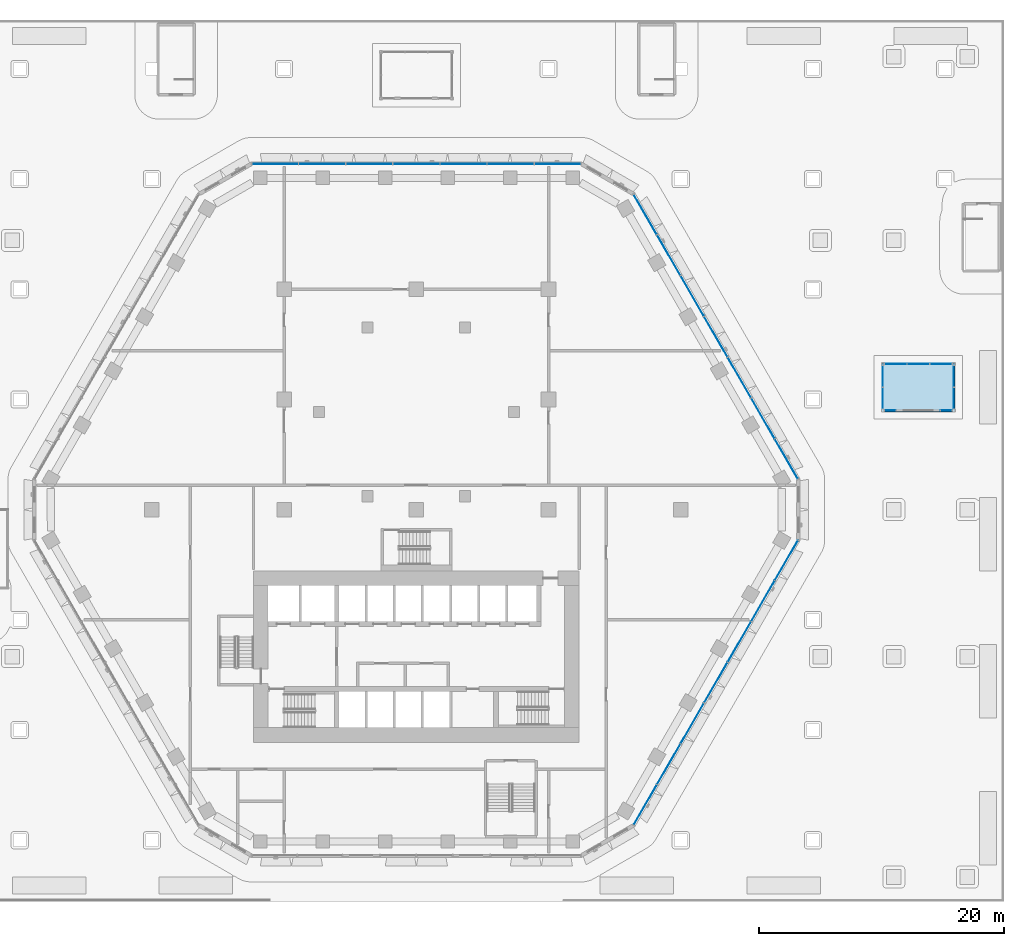
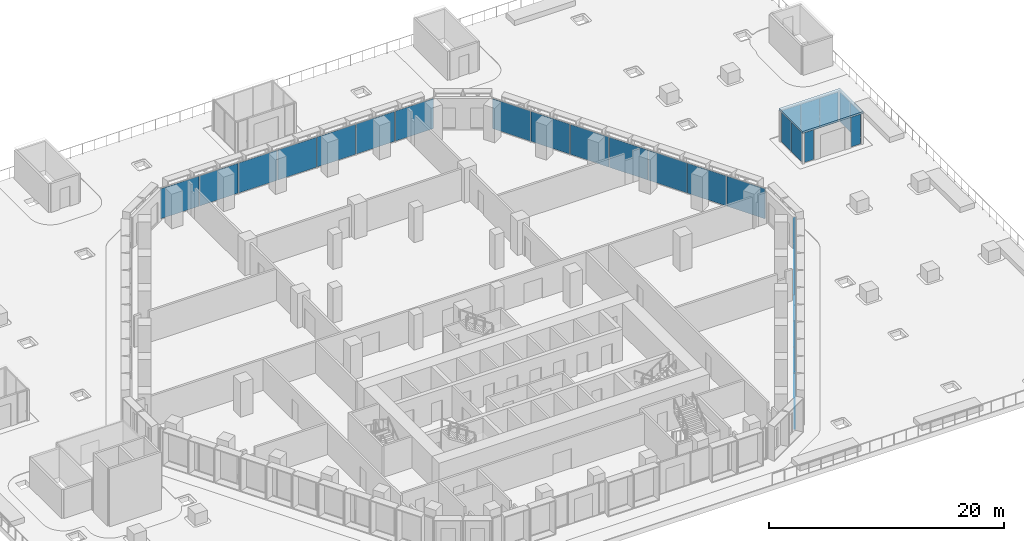
# One storey, part 19 of 38: 30 plates, 1 slab, 8 elements without a shape of their own.
"""IFC4 building model written with IfcOpenShell, lengths in metres."""

from ifc_helpers import new_model, si_unit, direction, frame, origin, origin_2d, place, context, subcontext, project, spatial, polyline, rectangle, outline, extrude, material, layer, layer_set, type_object, element, aggregate, save


model = new_model("IFC4")

# Units and contexts
model_context = context("Model", 3, precision=1e-05, world=origin(), true_north=direction((0.0, 1.0)))
body_context = subcontext(model_context, "Body", "Model", "MODEL_VIEW")
ifc_project = project(units=[si_unit("LENGTHUNIT", "METRE"), si_unit("AREAUNIT", "SQUARE_METRE"), si_unit("VOLUMEUNIT", "CUBIC_METRE"), si_unit("PLANEANGLEUNIT", "RADIAN"), si_unit("MASSUNIT", "GRAM", prefix="KILO")], contexts=[model_context])

# Site, building, storey
site_placement = place(None, origin())
site = spatial("IfcSite", under=ifc_project, at=site_placement, CompositionType="ELEMENT")
building_placement = place(site_placement, origin())
building = spatial("IfcBuilding", under=site, at=building_placement, Name="Beryl Residences", CompositionType="ELEMENT")
storey_placement = place(building_placement, frame((0.0, 0.0, 9.0)))
storey = spatial("IfcBuildingStorey", under=building, at=storey_placement, Name="L02", CompositionType="ELEMENT", Elevation=9.0)

# Curtain wall, plates
ifc_material_1 = material(Name="Aluminium and clear glass", Category="aluminium")
curtain_wall_type_1 = type_object("IfcCurtainWallType", Name="CW2 amenity glazing glazed wall", PredefinedType="NOTDEFINED", material=ifc_material_1)
curtain_wall_1_placement = place(storey_placement, origin())
curtain_wall_1 = element("IfcCurtainWall", 1, at=curtain_wall_1_placement, inside=storey, type_object=curtain_wall_type_1, Name="CW2 L02 N", PredefinedType="NOTDEFINED")
ifc_material_2 = material(Name="Clear laminated glass", Category="glass")
ifc_layer_1 = layer(ifc_material_2, 0.028076171875)
ifc_layer_set_1 = layer_set([ifc_layer_1], Name="CW2-P glazing panel 28 mm")
plate_type_1 = type_object("IfcPlateType", Name="CW2-P glazing panel 28 mm", PredefinedType="CURTAIN_PANEL", material=ifc_layer_set_1)
plate_1_placement = place(storey_placement, frame((11.53076171875, 28.25, 0.06005859375), z_axis=(0.0, 0.0, 1.0), x_axis=(-1.0, 0.0, 0.0)))
plate_1 = element("IfcPlate", 2, at=plate_1_placement, type_object=plate_type_1, Name="CW2 panel 1.1", PredefinedType="CURTAIN_PANEL", context=body_context, shape_type="SweptSolid", body=[
    extrude(rectangle(XDim=3.758544921875, YDim=0.028076171875, at=origin_2d()), origin(), (0.0, 0.0, 1.0), 3.1298828125),
])
plate_2_placement = place(storey_placement, frame((7.697021484375, 28.25, 0.06005859375), z_axis=(0.0, 0.0, 1.0), x_axis=(-1.0, 0.0, 0.0)))
plate_2 = element("IfcPlate", 3, at=plate_2_placement, type_object=plate_type_1, Name="CW2 panel 2.1", PredefinedType="CURTAIN_PANEL", context=body_context, shape_type="SweptSolid", body=[
    extrude(rectangle(XDim=3.78857421875, YDim=0.028076171875, at=origin_2d()), origin(), (0.0, 0.0, 1.0), 3.1298828125),
])
plate_3_placement = place(storey_placement, frame((3.8486328125, 28.25, 0.06005859375), z_axis=(0.0, 0.0, 1.0), x_axis=(-1.0, 0.0, 0.0)))
plate_3 = element("IfcPlate", 4, at=plate_3_placement, type_object=plate_type_1, Name="CW2 panel 3.1", PredefinedType="CURTAIN_PANEL", context=body_context, shape_type="SweptSolid", body=[
    extrude(rectangle(XDim=3.78857421875, YDim=0.028076171875, at=origin_2d()), origin(), (0.0, 0.0, 1.0), 3.1298828125),
])
plate_4_placement = place(storey_placement, frame((0.0, 28.25, 0.06005859375), z_axis=(0.0, 0.0, 1.0), x_axis=(-1.0, 0.0, 0.0)))
plate_4 = element("IfcPlate", 5, at=plate_4_placement, type_object=plate_type_1, Name="CW2 panel 4.1", PredefinedType="CURTAIN_PANEL", context=body_context, shape_type="SweptSolid", body=[
    extrude(rectangle(XDim=3.78857421875, YDim=0.028076171875, at=origin_2d()), origin(), (0.0, 0.0, 1.0), 3.1298828125),
])
plate_5_placement = place(storey_placement, frame((-3.8486328125, 28.25, 0.06005859375), z_axis=(0.0, 0.0, 1.0), x_axis=(-1.0, 0.0, 0.0)))
plate_5 = element("IfcPlate", 6, at=plate_5_placement, type_object=plate_type_1, Name="CW2 panel 5.1", PredefinedType="CURTAIN_PANEL", context=body_context, shape_type="SweptSolid", body=[
    extrude(rectangle(XDim=3.78857421875, YDim=0.028076171875, at=origin_2d()), origin(), (0.0, 0.0, 1.0), 3.1298828125),
])
plate_6_placement = place(storey_placement, frame((-7.697021484375, 28.25, 0.06005859375), z_axis=(0.0, 0.0, 1.0), x_axis=(-1.0, 0.0, 0.0)))
plate_6 = element("IfcPlate", 7, at=plate_6_placement, type_object=plate_type_1, Name="CW2 panel 6.1", PredefinedType="CURTAIN_PANEL", context=body_context, shape_type="SweptSolid", body=[
    extrude(rectangle(XDim=3.78857421875, YDim=0.028076171875, at=origin_2d()), origin(), (0.0, 0.0, 1.0), 3.1298828125),
])
plate_7_placement = place(storey_placement, frame((-11.53076171875, 28.25, 0.06005859375), z_axis=(0.0, 0.0, 1.0), x_axis=(-1.0, 0.0, 0.0)))
plate_7 = element("IfcPlate", 8, at=plate_7_placement, type_object=plate_type_1, Name="CW2 panel 7.1", PredefinedType="CURTAIN_PANEL", context=body_context, shape_type="SweptSolid", body=[
    extrude(rectangle(XDim=3.758544921875, YDim=0.028076171875, at=origin_2d()), origin(), (0.0, 0.0, 1.0), 3.1298828125),
])
aggregate(curtain_wall_1, [plate_1, plate_2, plate_3, plate_4, plate_5, plate_6, plate_7])

curtain_wall_2_placement = place(storey_placement, origin())
curtain_wall_2 = element("IfcCurtainWall", 9, at=curtain_wall_2_placement, inside=storey, type_object=curtain_wall_type_1, Name="CW2 L02 SE", PredefinedType="NOTDEFINED")
plate_8_placement = place(storey_placement, frame((18.69970703125, -24.110595703125, 0.06005859375), z_axis=(0.0, 0.0, 1.0), x_axis=(0.500011643322, 0.866018681405, 0.0)))
plate_8 = element("IfcPlate", 10, at=plate_8_placement, type_object=plate_type_1, Name="CW2 panel 1.1", PredefinedType="CURTAIN_PANEL", context=body_context, shape_type="SweptSolid", body=[
    extrude(rectangle(XDim=3.758544921875, YDim=0.028076171875, at=origin_2d()), origin(), (0.0, 0.0, 1.0), 3.1298828125),
])
plate_9_placement = place(storey_placement, frame((20.616455078125, -20.790771484375, 0.06005859375), z_axis=(0.0, 0.0, 1.0), x_axis=(0.500011643322, 0.866018681405, 0.0)))
plate_9 = element("IfcPlate", 11, at=plate_9_placement, type_object=plate_type_1, Name="CW2 panel 2.1", PredefinedType="CURTAIN_PANEL", context=body_context, shape_type="SweptSolid", body=[
    extrude(rectangle(XDim=3.78857421875, YDim=0.028076171875, at=origin_2d()), origin(), (0.0, 0.0, 1.0), 3.1298828125),
])
plate_10_placement = place(storey_placement, frame((22.540771484375, -17.457763671875, 0.06005859375), z_axis=(0.0, 0.0, 1.0), x_axis=(0.500011643322, 0.866018681405, 0.0)))
plate_10 = element("IfcPlate", 12, at=plate_10_placement, type_object=plate_type_1, Name="CW2 panel 3.1", PredefinedType="CURTAIN_PANEL", context=body_context, shape_type="SweptSolid", body=[
    extrude(rectangle(XDim=3.78857421875, YDim=0.028076171875, at=origin_2d()), origin(), (0.0, 0.0, 1.0), 3.1298828125),
])
plate_11_placement = place(storey_placement, frame((24.465087890625, -14.125, 0.06005859375), z_axis=(0.0, 0.0, 1.0), x_axis=(0.500011643322, 0.866018681405, 0.0)))
plate_11 = element("IfcPlate", 13, at=plate_11_placement, type_object=plate_type_1, Name="CW2 panel 4.1", PredefinedType="CURTAIN_PANEL", context=body_context, shape_type="SweptSolid", body=[
    extrude(rectangle(XDim=3.78857421875, YDim=0.028076171875, at=origin_2d()), origin(), (0.0, 0.0, 1.0), 3.1298828125),
])
plate_12_placement = place(storey_placement, frame((26.389404296875, -10.792236328125, 0.06005859375), z_axis=(0.0, 0.0, 1.0), x_axis=(0.500011643322, 0.866018681405, 0.0)))
plate_12 = element("IfcPlate", 14, at=plate_12_placement, type_object=plate_type_1, Name="CW2 panel 5.1", PredefinedType="CURTAIN_PANEL", context=body_context, shape_type="SweptSolid", body=[
    extrude(rectangle(XDim=3.78857421875, YDim=0.028076171875, at=origin_2d()), origin(), (0.0, 0.0, 1.0), 3.1298828125),
])
plate_13_placement = place(storey_placement, frame((28.3134765625, -7.459228515625, 0.06005859375), z_axis=(0.0, 0.0, 1.0), x_axis=(0.500011643322, 0.866018681405, 0.0)))
plate_13 = element("IfcPlate", 15, at=plate_13_placement, type_object=plate_type_1, Name="CW2 panel 6.1", PredefinedType="CURTAIN_PANEL", context=body_context, shape_type="SweptSolid", body=[
    extrude(rectangle(XDim=3.78857421875, YDim=0.028076171875, at=origin_2d()), origin(), (0.0, 0.0, 1.0), 3.1298828125),
])
plate_14_placement = place(storey_placement, frame((30.23046875, -4.139404296875, 0.06005859375), z_axis=(0.0, 0.0, 1.0), x_axis=(0.500011643322, 0.866018681405, 0.0)))
plate_14 = element("IfcPlate", 16, at=plate_14_placement, type_object=plate_type_1, Name="CW2 panel 7.1", PredefinedType="CURTAIN_PANEL", context=body_context, shape_type="SweptSolid", body=[
    extrude(rectangle(XDim=3.758544921875, YDim=0.028076171875, at=origin_2d()), origin(), (0.0, 0.0, 1.0), 3.1298828125),
])
aggregate(curtain_wall_2, [plate_8, plate_9, plate_10, plate_11, plate_12, plate_13, plate_14])

curtain_wall_3_placement = place(storey_placement, origin())
curtain_wall_3 = element("IfcCurtainWall", 17, at=curtain_wall_3_placement, inside=storey, type_object=curtain_wall_type_1, Name="CW2 L02 NE", PredefinedType="NOTDEFINED")
plate_15_placement = place(storey_placement, frame((30.23046875, 4.139404296875, 0.06005859375), z_axis=(0.0, 0.0, 1.0), x_axis=(-0.500011643322, 0.866018681405, 0.0)))
plate_15 = element("IfcPlate", 18, at=plate_15_placement, type_object=plate_type_1, Name="CW2 panel 1.1", PredefinedType="CURTAIN_PANEL", context=body_context, shape_type="SweptSolid", body=[
    extrude(rectangle(XDim=3.758544921875, YDim=0.028076171875, at=origin_2d()), origin(), (0.0, 0.0, 1.0), 3.1298828125),
])
plate_16_placement = place(storey_placement, frame((28.3134765625, 7.459228515625, 0.06005859375), z_axis=(0.0, 0.0, 1.0), x_axis=(-0.500011643322, 0.866018681405, 0.0)))
plate_16 = element("IfcPlate", 19, at=plate_16_placement, type_object=plate_type_1, Name="CW2 panel 2.1", PredefinedType="CURTAIN_PANEL", context=body_context, shape_type="SweptSolid", body=[
    extrude(rectangle(XDim=3.78857421875, YDim=0.028076171875, at=origin_2d()), origin(), (0.0, 0.0, 1.0), 3.1298828125),
])
plate_17_placement = place(storey_placement, frame((26.389404296875, 10.792236328125, 0.06005859375), z_axis=(0.0, 0.0, 1.0), x_axis=(-0.500011643322, 0.866018681405, 0.0)))
plate_17 = element("IfcPlate", 20, at=plate_17_placement, type_object=plate_type_1, Name="CW2 panel 3.1", PredefinedType="CURTAIN_PANEL", context=body_context, shape_type="SweptSolid", body=[
    extrude(rectangle(XDim=3.78857421875, YDim=0.028076171875, at=origin_2d()), origin(), (0.0, 0.0, 1.0), 3.1298828125),
])
plate_18_placement = place(storey_placement, frame((24.465087890625, 14.125, 0.06005859375), z_axis=(0.0, 0.0, 1.0), x_axis=(-0.500011643322, 0.866018681405, 0.0)))
plate_18 = element("IfcPlate", 21, at=plate_18_placement, type_object=plate_type_1, Name="CW2 panel 4.1", PredefinedType="CURTAIN_PANEL", context=body_context, shape_type="SweptSolid", body=[
    extrude(rectangle(XDim=3.78857421875, YDim=0.028076171875, at=origin_2d()), origin(), (0.0, 0.0, 1.0), 3.1298828125),
])
plate_19_placement = place(storey_placement, frame((22.540771484375, 17.457763671875, 0.06005859375), z_axis=(0.0, 0.0, 1.0), x_axis=(-0.500011643322, 0.866018681405, 0.0)))
plate_19 = element("IfcPlate", 22, at=plate_19_placement, type_object=plate_type_1, Name="CW2 panel 5.1", PredefinedType="CURTAIN_PANEL", context=body_context, shape_type="SweptSolid", body=[
    extrude(rectangle(XDim=3.78857421875, YDim=0.028076171875, at=origin_2d()), origin(), (0.0, 0.0, 1.0), 3.1298828125),
])
plate_20_placement = place(storey_placement, frame((20.616455078125, 20.790771484375, 0.06005859375), z_axis=(0.0, 0.0, 1.0), x_axis=(-0.500011643322, 0.866018681405, 0.0)))
plate_20 = element("IfcPlate", 23, at=plate_20_placement, type_object=plate_type_1, Name="CW2 panel 6.1", PredefinedType="CURTAIN_PANEL", context=body_context, shape_type="SweptSolid", body=[
    extrude(rectangle(XDim=3.78857421875, YDim=0.028076171875, at=origin_2d()), origin(), (0.0, 0.0, 1.0), 3.1298828125),
])
plate_21_placement = place(storey_placement, frame((18.69970703125, 24.110595703125, 0.06005859375), z_axis=(0.0, 0.0, 1.0), x_axis=(-0.500011643322, 0.866018681405, 0.0)))
plate_21 = element("IfcPlate", 24, at=plate_21_placement, type_object=plate_type_1, Name="CW2 panel 7.1", PredefinedType="CURTAIN_PANEL", context=body_context, shape_type="SweptSolid", body=[
    extrude(rectangle(XDim=3.758544921875, YDim=0.028076171875, at=origin_2d()), origin(), (0.0, 0.0, 1.0), 3.1298828125),
])
aggregate(curtain_wall_3, [plate_15, plate_16, plate_17, plate_18, plate_19, plate_20, plate_21])

# Curtain wall, plate
ifc_material_3 = material(Name="Aluminium and clear glass", Category="aluminium")
curtain_wall_type_2 = type_object("IfcCurtainWallType", Name="CW6 garden pavilion glazing glazed wall", PredefinedType="NOTDEFINED", material=ifc_material_3)
curtain_wall_4_placement = place(storey_placement, origin())
curtain_wall_4 = element("IfcCurtainWall", 25, at=curtain_wall_4_placement, inside=storey, type_object=curtain_wall_type_2, Name="CW6 pavilion 2 s0", PredefinedType="NOTDEFINED")
ifc_material_4 = material(Name="Clear laminated glass", Category="glass")
ifc_layer_2 = layer(ifc_material_4, 0.028076171875)
ifc_layer_set_2 = layer_set([ifc_layer_2], Name="CW6-P glazing panel 28 mm")
plate_type_2 = type_object("IfcPlateType", Name="CW6-P glazing panel 28 mm", PredefinedType="CURTAIN_PANEL", material=ifc_layer_set_2)
plate_22_placement = place(storey_placement, frame((38.699951171875, 8.10009765625, 0.050048828125), z_axis=(0.0, 0.0, 1.0), x_axis=(1.0, 0.0, 0.0)))
plate_22 = element("IfcPlate", 26, at=plate_22_placement, type_object=plate_type_2, Name="CW6 panel 1.1", PredefinedType="CURTAIN_PANEL", context=body_context, shape_type="SweptSolid", body=[
    extrude(rectangle(XDim=0.89990234375, YDim=0.028076171875, at=origin_2d()), origin(), (0.0, 0.0, 1.0), 3.10009765625),
])
aggregate(curtain_wall_4, [plate_22])

curtain_wall_5_placement = place(storey_placement, origin())
curtain_wall_5 = element("IfcCurtainWall", 27, at=curtain_wall_5_placement, inside=storey, type_object=curtain_wall_type_2, Name="CW6 pavilion 2 s2", PredefinedType="NOTDEFINED")
plate_23_placement = place(storey_placement, frame((43.300048828125, 8.10009765625, 0.050048828125), z_axis=(0.0, 0.0, 1.0), x_axis=(1.0, 0.0, 0.0)))
plate_23 = element("IfcPlate", 28, at=plate_23_placement, type_object=plate_type_2, Name="CW6 panel 1.1", PredefinedType="CURTAIN_PANEL", context=body_context, shape_type="SweptSolid", body=[
    extrude(rectangle(XDim=0.89990234375, YDim=0.028076171875, at=origin_2d()), origin(), (0.0, 0.0, 1.0), 3.10009765625),
])
aggregate(curtain_wall_5, [plate_23])

# Curtain wall, plates
curtain_wall_6_placement = place(storey_placement, origin())
curtain_wall_6 = element("IfcCurtainWall", 29, at=curtain_wall_6_placement, inside=storey, type_object=curtain_wall_type_2, Name="CW6 pavilion 2 e", PredefinedType="NOTDEFINED")
plate_24_placement = place(storey_placement, frame((43.89990234375, 9.112548828125, 0.050048828125), z_axis=(0.0, 0.0, 1.0), x_axis=(0.0, 1.0, 0.0)))
plate_24 = element("IfcPlate", 30, at=plate_24_placement, type_object=plate_type_2, Name="CW6 panel 1.1", PredefinedType="CURTAIN_PANEL", context=body_context, shape_type="SweptSolid", body=[
    extrude(rectangle(XDim=1.72509765625, YDim=0.028076171875, at=origin_2d()), origin(), (0.0, 0.0, 1.0), 3.10009765625),
])
plate_25_placement = place(storey_placement, frame((43.89990234375, 10.887451171875, 0.050048828125), z_axis=(0.0, 0.0, 1.0), x_axis=(0.0, 1.0, 0.0)))
plate_25 = element("IfcPlate", 31, at=plate_25_placement, type_object=plate_type_2, Name="CW6 panel 2.1", PredefinedType="CURTAIN_PANEL", context=body_context, shape_type="SweptSolid", body=[
    extrude(rectangle(XDim=1.72509765625, YDim=0.028076171875, at=origin_2d()), origin(), (0.0, 0.0, 1.0), 3.10009765625),
])
aggregate(curtain_wall_6, [plate_24, plate_25])

curtain_wall_7_placement = place(storey_placement, origin())
curtain_wall_7 = element("IfcCurtainWall", 32, at=curtain_wall_7_placement, inside=storey, type_object=curtain_wall_type_2, Name="CW6 pavilion 2 n", PredefinedType="NOTDEFINED")
plate_26_placement = place(storey_placement, frame((42.854248046875, 11.89990234375, 0.050048828125), z_axis=(0.0, 0.0, 1.0), x_axis=(-1.0, 0.0, 0.0)))
plate_26 = element("IfcPlate", 33, at=plate_26_placement, type_object=plate_type_2, Name="CW6 panel 1.1", PredefinedType="CURTAIN_PANEL", context=body_context, shape_type="SweptSolid", body=[
    extrude(rectangle(XDim=1.791748046875, YDim=0.028076171875, at=origin_2d()), origin(), (0.0, 0.0, 1.0), 3.10009765625),
])
plate_27_placement = place(storey_placement, frame((41.0, 11.89990234375, 0.050048828125), z_axis=(0.0, 0.0, 1.0), x_axis=(-1.0, 0.0, 0.0)))
plate_27 = element("IfcPlate", 34, at=plate_27_placement, type_object=plate_type_2, Name="CW6 panel 2.1", PredefinedType="CURTAIN_PANEL", context=body_context, shape_type="SweptSolid", body=[
    extrude(rectangle(XDim=1.816650390625, YDim=0.028076171875, at=origin_2d()), origin(), (0.0, 0.0, 1.0), 3.10009765625),
])
plate_28_placement = place(storey_placement, frame((39.145751953125, 11.89990234375, 0.050048828125), z_axis=(0.0, 0.0, 1.0), x_axis=(-1.0, 0.0, 0.0)))
plate_28 = element("IfcPlate", 35, at=plate_28_placement, type_object=plate_type_2, Name="CW6 panel 3.1", PredefinedType="CURTAIN_PANEL", context=body_context, shape_type="SweptSolid", body=[
    extrude(rectangle(XDim=1.791748046875, YDim=0.028076171875, at=origin_2d()), origin(), (0.0, 0.0, 1.0), 3.10009765625),
])
aggregate(curtain_wall_7, [plate_26, plate_27, plate_28])

curtain_wall_8_placement = place(storey_placement, origin())
curtain_wall_8 = element("IfcCurtainWall", 36, at=curtain_wall_8_placement, inside=storey, type_object=curtain_wall_type_2, Name="CW6 pavilion 2 w", PredefinedType="NOTDEFINED")
plate_29_placement = place(storey_placement, frame((38.10009765625, 10.887451171875, 0.050048828125), z_axis=(0.0, 0.0, 1.0), x_axis=(0.0, -1.0, 0.0)))
plate_29 = element("IfcPlate", 37, at=plate_29_placement, type_object=plate_type_2, Name="CW6 panel 1.1", PredefinedType="CURTAIN_PANEL", context=body_context, shape_type="SweptSolid", body=[
    extrude(rectangle(XDim=1.72509765625, YDim=0.028076171875, at=origin_2d()), origin(), (0.0, 0.0, 1.0), 3.10009765625),
])
plate_30_placement = place(storey_placement, frame((38.10009765625, 9.112548828125, 0.050048828125), z_axis=(0.0, 0.0, 1.0), x_axis=(0.0, -1.0, 0.0)))
plate_30 = element("IfcPlate", 38, at=plate_30_placement, type_object=plate_type_2, Name="CW6 panel 2.1", PredefinedType="CURTAIN_PANEL", context=body_context, shape_type="SweptSolid", body=[
    extrude(rectangle(XDim=1.72509765625, YDim=0.028076171875, at=origin_2d()), origin(), (0.0, 0.0, 1.0), 3.10009765625),
])
aggregate(curtain_wall_8, [plate_29, plate_30])

# Slab
ifc_material_5 = material(Name="Precast concrete C40/50", Category="concrete")
ifc_layer_3 = layer(ifc_material_5, 0.199951171875)
ifc_layer_set_3 = layer_set([ifc_layer_3], Name="PR1 pavilion roof 200 mm")
slab_type = type_object("IfcSlabType", Name="PR1 pavilion roof 200 mm", PredefinedType="ROOF", material=ifc_layer_set_3)
slab_placement = place(storey_placement, frame((0.0, 0.0, 3.199951171875)))
element("IfcSlab", 39, at=slab_placement, inside=storey, type_object=slab_type, Name="PR1 pavilion roof 2", PredefinedType="ROOF", context=body_context, shape_type="SweptSolid", body=[
    extrude(outline(polyline([(38.0, 8.0), (44.0, 8.0), (44.0, 12.0), (38.0, 12.0), (38.0, 8.0)])), origin(), (0.0, 0.0, 1.0), 0.199951171875),
])

save(model, "model.ifc")
